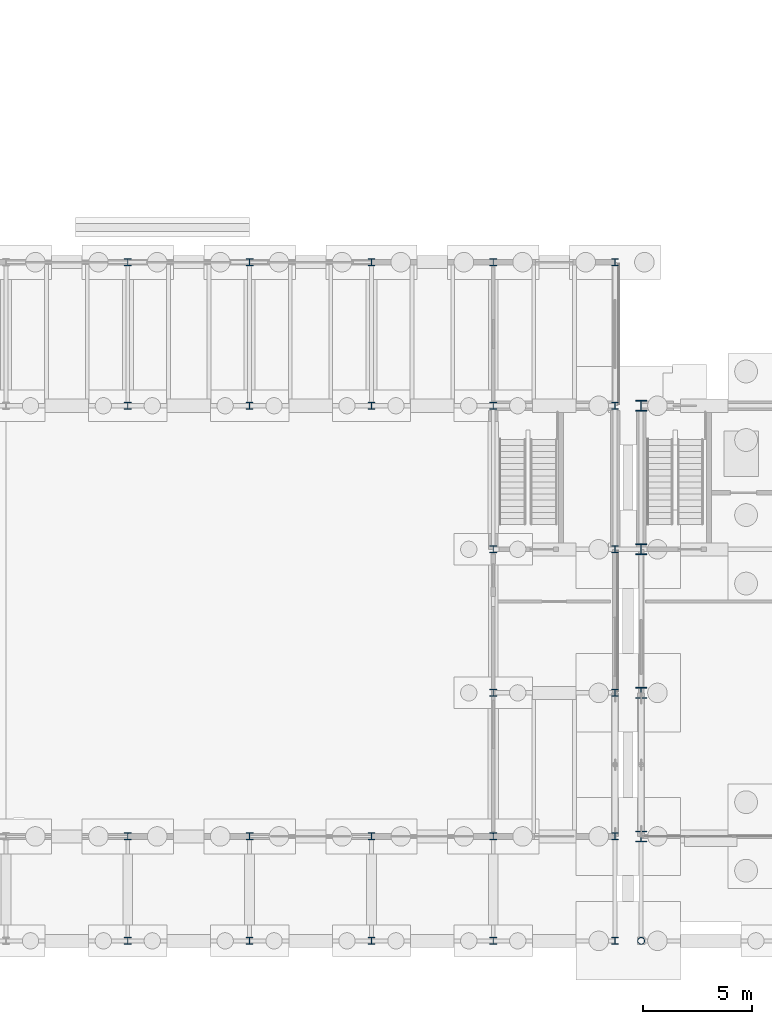
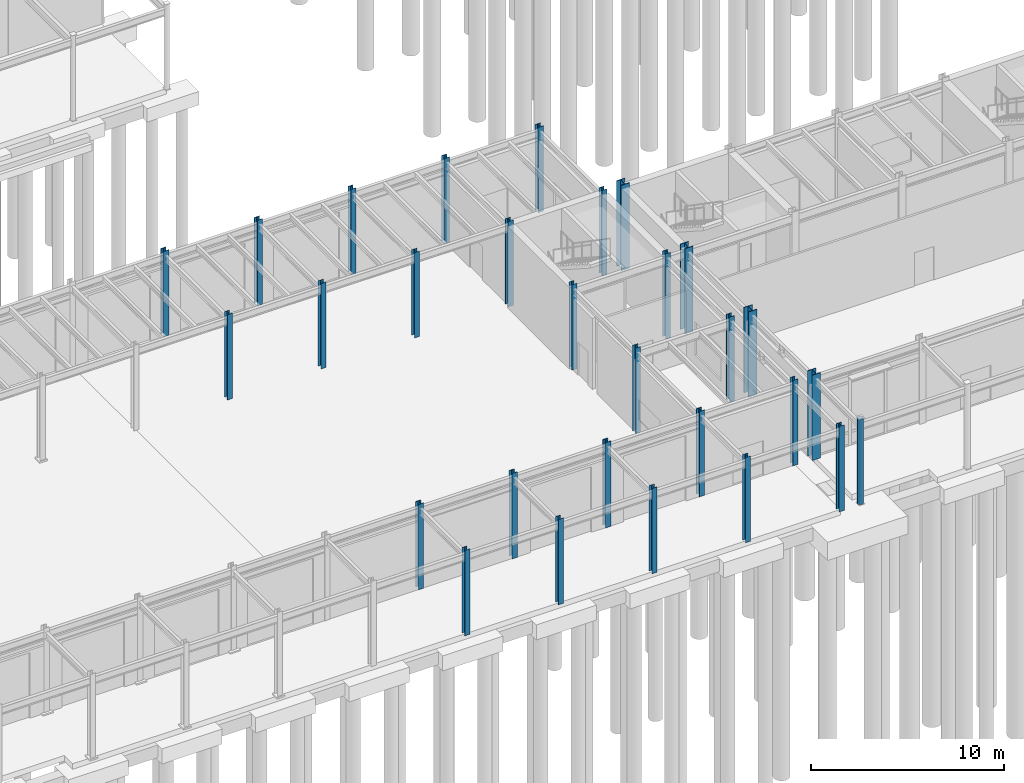
# One storey, part 9 of 82: 29 columns.
"""IFC4 building model written with IfcOpenShell, lengths in metres."""

import ifcopenshell
import ifcopenshell.guid

model = None  # the IFC model being written
_history = None  # IfcOwnerHistory: only IFC2X3 demands one
_inside = {}  # id of a spatial element -> (the spatial element, [elements in it])
_under = {}  # id of a project, library or spatial element -> (it, [spatial elements below it])
_declared = {}  # id of a project -> (the project, [libraries it declares])
_typed = {}  # id of a type object -> (the type object, [elements of that type])
_made_of = {}  # id of a material, layer set ... -> (it, [elements and type objects made of it])


def new_model(schema):
    """Start an empty IFC model of exactly this schema.

    Asked for "IFC4X3", IfcOpenShell would pick the latest addendum, in which some entities
    have other attributes; the version numbers below select the first issue.
    IFC2X3 requires an IfcOwnerHistory on every rooted entity: one is made here for all.
    """
    global model, _history
    if schema == "IFC4X3":
        model = ifcopenshell.file(schema_version=(4, 3, 0, 0))
    else:
        model = ifcopenshell.file(schema=schema)
    _inside.clear()
    _under.clear()
    _declared.clear()
    _typed.clear()
    _made_of.clear()
    _history = None
    if model.schema == "IFC2X3":
        org = make("IfcOrganization", Name="unknown")
        user = make(
            "IfcPersonAndOrganization",
            ThePerson=make("IfcPerson", FamilyName="unknown"),
            TheOrganization=org,
        )
        app = make(
            "IfcApplication",
            ApplicationDeveloper=org,
            Version="unknown",
            ApplicationFullName="unknown",
            ApplicationIdentifier="unknown",
        )
        _history = make(
            "IfcOwnerHistory",
            OwningUser=user,
            OwningApplication=app,
            ChangeAction="ADDED",
            CreationDate=0,
        )
    return model


def make(cls, **values):
    """One entity of the class cls with the attributes given. An attribute that is None is left unset."""
    return model.create_entity(
        cls, **{name: value for name, value in values.items() if value is not None}
    )


def rooted(cls, **values):
    """An entity with a GlobalId (a new one), such as an element, a storey or a relation."""
    return make(cls, GlobalId=ifcopenshell.guid.new(), OwnerHistory=_history, **values)


def si_unit(unit_type, name, prefix=None):
    """IfcSIUnit, for example si_unit("LENGTHUNIT", "METRE", prefix="MILLI")."""
    return make("IfcSIUnit", UnitType=unit_type, Prefix=prefix, Name=name)


def assignment(units):
    """IfcUnitAssignment: the units of a project."""
    return None if units is None else make("IfcUnitAssignment", Units=units)


def point(xyz):
    """IfcCartesianPoint."""
    return None if xyz is None else make("IfcCartesianPoint", Coordinates=xyz)


def direction(xyz):
    """IfcDirection."""
    return None if xyz is None else make("IfcDirection", DirectionRatios=xyz)


def frame(location, z_axis=None, x_axis=None):
    """IfcAxis2Placement3D, a coordinate frame: its origin and axes. An axis left out is left unset."""
    return make(
        "IfcAxis2Placement3D",
        Location=point(location),
        Axis=direction(z_axis),
        RefDirection=direction(x_axis),
    )


def frame_2d(location, x_axis=None):
    """IfcAxis2Placement2D, a coordinate frame in the plane: its origin and x axis."""
    return make(
        "IfcAxis2Placement2D", Location=point(location), RefDirection=direction(x_axis)
    )


def origin():
    """The frame at (0, 0, 0) with its axes left unset."""
    return frame((0.0, 0.0, 0.0))


def origin_2d():
    """The frame at (0, 0) in the plane with its x axis left unset."""
    return frame_2d((0.0, 0.0))


def place(relative_to, where):
    """IfcLocalPlacement: puts the frame where relative to a parent placement (None: the world)."""
    return make(
        "IfcLocalPlacement", PlacementRelTo=relative_to, RelativePlacement=where
    )


def context(
    kind, dimensions, precision=None, world=None, true_north=None, identifier=None
):
    """IfcGeometricRepresentationContext, for example the 3D "Model" context."""
    return make(
        "IfcGeometricRepresentationContext",
        ContextIdentifier=identifier,
        ContextType=kind,
        CoordinateSpaceDimension=dimensions,
        Precision=precision,
        WorldCoordinateSystem=world,
        TrueNorth=true_north,
    )


def subcontext(parent, identifier, kind, view, scale=None):
    """IfcGeometricRepresentationSubContext, for example "Body" below "Model"."""
    return make(
        "IfcGeometricRepresentationSubContext",
        ContextIdentifier=identifier,
        ContextType=kind,
        ParentContext=parent,
        TargetScale=scale,
        TargetView=view,
    )


def project(units=None, contexts=None):
    """IfcProject with its units and contexts."""
    return rooted(
        "IfcProject",
        Name="project",
        RepresentationContexts=contexts,
        UnitsInContext=assignment(units),
    )


def spatial(cls, under=None, at=None, **own):
    """A site, building, storey or space (cls), placed at a placement, below another one or the project."""
    s = rooted(cls, ObjectPlacement=at, **own)
    if under is not None:
        _under.setdefault(under.id(), (under, []))[1].append(s)
    return s


def profile(cls, at=None, kind="AREA", **sizes):
    """A parametric profile (cls). Its sizes go by their IFC names, for example OverallWidth=200.0."""
    return make(cls, ProfileType=kind, Position=at, **sizes)


def hollow_circle(**sizes):
    """IfcCircleHollowProfileDef."""
    return profile("IfcCircleHollowProfileDef", **sizes)


def i_section(**sizes):
    """IfcIShapeProfileDef."""
    return profile("IfcIShapeProfileDef", **sizes)


def extrude(swept, where, along, depth):
    """IfcExtrudedAreaSolid: the profile swept, set in the frame where, extruded along a direction by depth."""
    return make(
        "IfcExtrudedAreaSolid",
        SweptArea=swept,
        Position=where,
        ExtrudedDirection=direction(along),
        Depth=depth,
    )


def shape(context_of_items, identifier, shape_type, items):
    """IfcShapeRepresentation: the items that make up one representation, for example the "Body"."""
    return make(
        "IfcShapeRepresentation",
        ContextOfItems=context_of_items,
        RepresentationIdentifier=identifier,
        RepresentationType=shape_type,
        Items=items,
    )


def material(Name=None, Category=None):
    """IfcMaterial."""
    return make("IfcMaterial", Name=Name, Category=Category)


def material_profile(
    of_material, cross_section, Name=None, Category=None, Priority=None
):
    """IfcMaterialProfile: a cross section and its material."""
    return make(
        "IfcMaterialProfile",
        Name=Name,
        Material=of_material,
        Profile=cross_section,
        Priority=Priority,
        Category=Category,
    )


def profile_set(profiles, Name=None, composite=None):
    """IfcMaterialProfileSet."""
    return make(
        "IfcMaterialProfileSet",
        Name=Name,
        MaterialProfiles=profiles,
        CompositeProfile=composite,
    )


def made_of(thing, what):
    """Note that an element or type object is made of a material, layer set ...; save() writes the relation."""
    if what is not None:
        _made_of.setdefault(what.id(), (what, []))[1].append(thing)
    return thing


def type_object(cls, material=None, **own):
    """A type object (cls), such as IfcWallType, which elements share."""
    return made_of(rooted(cls, **own), material)


def element(
    cls,
    number,
    at=None,
    inside=None,
    cuts=None,
    type_object=None,
    material=None,
    context=None,
    identifier="Body",
    shape_type=None,
    held_by="IfcProductDefinitionShape",
    body=None,
    shapes=None,
    **own,
):
    """One element of the class cls, such as IfcWall. Its Tag is "e" and its number.

    at: its placement. inside: the storey or other place that contains it. cuts: it is an
    opening in that element (IfcRelVoidsElement). A single representation is given by context,
    identifier, shape_type and body (its items); several are given by shapes. held_by: the class
    of the entity that holds the representations. save() writes the other relations.
    """
    e = rooted(cls, Tag="e%d" % number, ObjectPlacement=at, **own)
    if body is not None:
        shapes = [shape(context, identifier, shape_type, body)]
    if shapes is not None:
        e.Representation = make(held_by, Representations=shapes)
    if inside is not None:
        _inside.setdefault(inside.id(), (inside, []))[1].append(e)
    if cuts is not None:
        rooted(
            "IfcRelVoidsElement", RelatingBuildingElement=cuts, RelatedOpeningElement=e
        )
    if type_object is not None:
        _typed.setdefault(type_object.id(), (type_object, []))[1].append(e)
    return made_of(e, material)


def aggregate(whole, parts):
    """IfcRelAggregates: a whole, such as a stair, and the parts it consists of."""
    return rooted("IfcRelAggregates", RelatingObject=whole, RelatedObjects=parts)


def save(model, path):
    """Write the relations noted so far, then the file.

    IfcRelAggregates (storeys below a building ...), IfcRelContainedInSpatialStructure (elements
    in a storey), IfcRelDefinesByType, IfcRelAssociatesMaterial and IfcRelDeclares: one each for
    every whole, place, type object, material and project.
    """
    for whole, parts in _under.values():
        aggregate(whole, parts)
    for where, things in _inside.values():
        rooted(
            "IfcRelContainedInSpatialStructure",
            RelatedElements=things,
            RelatingStructure=where,
        )
    for kind, things in _typed.values():
        rooted("IfcRelDefinesByType", RelatedObjects=things, RelatingType=kind)
    for what, things in _made_of.values():
        rooted("IfcRelAssociatesMaterial", RelatedObjects=things, RelatingMaterial=what)
    for by, libraries in _declared.values():
        rooted("IfcRelDeclares", RelatingContext=by, RelatedDefinitions=libraries)
    model.write(path)


model = new_model("IFC4")

# Units and contexts
model_context = context("Model", 3, precision=1e-05, world=origin(), true_north=direction((0.0, 1.0)))
body_context = subcontext(model_context, "Body", "Model", "MODEL_VIEW")
ifc_project = project(units=[si_unit("LENGTHUNIT", "METRE"), si_unit("AREAUNIT", "SQUARE_METRE"), si_unit("VOLUMEUNIT", "CUBIC_METRE"), si_unit("PLANEANGLEUNIT", "RADIAN"), si_unit("MASSUNIT", "GRAM", prefix="KILO")], contexts=[model_context])

# Site, building, storey
site_placement = place(None, origin())
site = spatial("IfcSite", under=ifc_project, at=site_placement, CompositionType="ELEMENT")
building_placement = place(site_placement, origin())
building = spatial("IfcBuilding", under=site, at=building_placement, Name="Trelmorton Wharf Fire Station", CompositionType="ELEMENT")
storey_placement = place(building_placement, origin())
storey = spatial("IfcBuildingStorey", under=building, at=storey_placement, Name="L00", CompositionType="ELEMENT", Elevation=0.0)

# Columns
ifc_material_1 = material(Name="Steel Grade 350", Category="steel")
ifc_material_profile_1 = material_profile(ifc_material_1, i_section(OverallWidth=0.306884765625, OverallDepth=0.31494140625, WebThickness=0.011962890625, FlangeThickness=0.018798828125, FilletRadius=0.0166015625, at=origin_2d()), Name="310UC118")
ifc_profile_set_1 = profile_set([ifc_material_profile_1], Name="Steel Grade 350")
column_type_1 = type_object("IfcColumnType", Name="COL_310UC118", PredefinedType="COLUMN", material=ifc_profile_set_1)
for number, where, z_axis, x_axis, name in (
    (1, (34.39990234375, 27.60009765625, 0.0), (0.0, 0.0, 1.0), (1.0, 0.0, 0.0), "COL-L00-0061"),
    (2, (40.0, 27.60009765625, 0.0), (0.0, 0.0, 1.0), (1.0, 0.0, 0.0), "COL-L00-0070"),
    (3, (45.60009765625, 27.60009765625, 0.0), (0.0, 0.0, 1.0), (1.0, 0.0, 0.0), "COL-L00-0079"),
    (4, (51.199951171875, 14.39990234375, 0.0), (0.0, 0.0, 1.0), (1.0, 0.0, 0.0), "COL-L00-0088"),
    (5, (51.199951171875, 21.0, 0.0), (0.0, 0.0, 1.0), (1.0, 0.0, 0.0), "COL-L00-0089"),
    (6, (51.199951171875, 27.60009765625, 0.0), (0.0, 0.0, 1.0), (1.0, 0.0, 0.0), "COL-L00-0090"),
    (7, (56.800048828125, 14.39990234375, 0.0), (0.0, 0.0, 1.0), (1.0, 0.0, 0.0), "COL-L00-0094"),
    (8, (56.800048828125, 21.0, 0.0), (0.0, 0.0, 1.0), (1.0, 0.0, 0.0), "COL-L00-0095"),
    (9, (56.800048828125, 27.60009765625, 0.0), (0.0, 0.0, 1.0), (1.0, 0.0, 0.0), "COL-L00-0096"),
):
    element("IfcColumn", number, at=place(storey_placement, frame(where, z_axis=z_axis, x_axis=x_axis)), inside=storey, type_object=column_type_1, Name=name, PredefinedType="COLUMN", context=body_context, shape_type="SweptSolid", body=[
        extrude(i_section(OverallWidth=0.306884765625, OverallDepth=0.31494140625, WebThickness=0.011962890625, FlangeThickness=0.018798828125, FilletRadius=0.0166015625, at=origin_2d()), origin(), (0.0, 0.0, 1.0), 5.39990234375),
    ])
ifc_material_profile_2 = material_profile(ifc_material_1, i_section(OverallWidth=0.31103515625, OverallDepth=0.326904296875, WebThickness=0.015625, FlangeThickness=0.02490234375, FilletRadius=0.0166015625, at=origin_2d()), Name="310UC158")
ifc_profile_set_2 = profile_set([ifc_material_profile_2], Name="Steel Grade 350")
column_type_2 = type_object("IfcColumnType", Name="COL_310UC158", PredefinedType="COLUMN", material=ifc_profile_set_2)
for number, where, z_axis, x_axis, name in (
    (10, (34.39990234375, 7.800048828125, 0.0), (0.0, 0.0, 1.0), (1.0, 0.0, 0.0), "COL-L00-0060"),
    (11, (34.39990234375, 34.199951171875, 0.0), (0.0, 0.0, 1.0), (1.0, 0.0, 0.0), "COL-L00-0062"),
    (12, (40.0, 7.800048828125, 0.0), (0.0, 0.0, 1.0), (1.0, 0.0, 0.0), "COL-L00-0069"),
    (13, (40.0, 34.199951171875, 0.0), (0.0, 0.0, 1.0), (1.0, 0.0, 0.0), "COL-L00-0071"),
    (14, (45.60009765625, 7.800048828125, 0.0), (0.0, 0.0, 1.0), (1.0, 0.0, 0.0), "COL-L00-0078"),
    (15, (45.60009765625, 34.199951171875, 0.0), (0.0, 0.0, 1.0), (1.0, 0.0, 0.0), "COL-L00-0080"),
    (16, (51.199951171875, 7.800048828125, 0.0), (0.0, 0.0, 1.0), (1.0, 0.0, 0.0), "COL-L00-0087"),
    (17, (51.199951171875, 34.199951171875, 0.0), (0.0, 0.0, 1.0), (1.0, 0.0, 0.0), "COL-L00-0091"),
    (18, (56.800048828125, 7.800048828125, 0.0), (0.0, 0.0, 1.0), (1.0, 0.0, 0.0), "COL-L00-0093"),
    (19, (56.800048828125, 34.199951171875, 0.0), (0.0, 0.0, 1.0), (1.0, 0.0, 0.0), "COL-L00-0097"),
):
    element("IfcColumn", number, at=place(storey_placement, frame(where, z_axis=z_axis, x_axis=x_axis)), inside=storey, type_object=column_type_2, Name=name, PredefinedType="COLUMN", context=body_context, shape_type="SweptSolid", body=[
        extrude(i_section(OverallWidth=0.31103515625, OverallDepth=0.326904296875, WebThickness=0.015625, FlangeThickness=0.02490234375, FilletRadius=0.0166015625, at=origin_2d()), origin(), (0.0, 0.0, 1.0), 5.39990234375),
    ])
ifc_material_profile_3 = material_profile(ifc_material_1, i_section(OverallWidth=0.5, OverallDepth=0.5, WebThickness=0.02001953125, FlangeThickness=0.035888671875, at=origin_2d()), Name="500WC340")
ifc_profile_set_3 = profile_set([ifc_material_profile_3], Name="Steel Grade 350")
column_type_3 = type_object("IfcColumnType", Name="COL_500WC340", PredefinedType="COLUMN", material=ifc_profile_set_3)
for number, where, z_axis, x_axis, name in (
    (20, (58.0, 7.800048828125, 0.0), (0.0, 0.0, 1.0), (1.0, 0.0, 0.0), "COL-L00-0099"),
    (21, (58.0, 14.39990234375, 0.0), (0.0, 0.0, 1.0), (1.0, 0.0, 0.0), "COL-L00-0100"),
    (22, (58.0, 21.0, 0.0), (0.0, 0.0, 1.0), (1.0, 0.0, 0.0), "COL-L00-0101"),
    (23, (58.0, 27.60009765625, 0.0), (0.0, 0.0, 1.0), (1.0, 0.0, 0.0), "COL-L00-0102"),
):
    element("IfcColumn", number, at=place(storey_placement, frame(where, z_axis=z_axis, x_axis=x_axis)), inside=storey, type_object=column_type_3, Name=name, PredefinedType="COLUMN", context=body_context, shape_type="SweptSolid", body=[
        extrude(i_section(OverallWidth=0.5, OverallDepth=0.5, WebThickness=0.02001953125, FlangeThickness=0.035888671875, at=origin_2d()), origin(), (0.0, 0.0, 1.0), 5.39990234375),
    ])
ifc_material_2 = material(Name="Steel C450L0 (450 MPa)", Category="steel")
ifc_material_profile_4 = material_profile(ifc_material_2, hollow_circle(Radius=0.161865234375, WallThickness=0.0126953125, at=origin_2d()), Name="323.9x12.7CHS")
ifc_profile_set_4 = profile_set([ifc_material_profile_4], Name="Steel C450L0 (450 MPa)")
column_type_4 = type_object("IfcColumnType", Name="COL_CHS324", PredefinedType="COLUMN", material=ifc_profile_set_4)
column_placement = place(storey_placement, frame((58.0, 3.0, 0.0), z_axis=(0.0, 0.0, 1.0), x_axis=(1.0, 0.0, 0.0)))
element("IfcColumn", 24, at=column_placement, inside=storey, type_object=column_type_4, Name="COL-L00-0098", PredefinedType="COLUMN", context=body_context, shape_type="SweptSolid", body=[
    extrude(hollow_circle(Radius=0.161865234375, WallThickness=0.0126953125, at=origin_2d()), origin(), (0.0, 0.0, 1.0), 5.39990234375),
])
ifc_material_3 = material(Name="Signal-red architectural steel Grade 350", Category="steel")
ifc_material_profile_5 = material_profile(ifc_material_3, i_section(OverallWidth=0.306884765625, OverallDepth=0.31494140625, WebThickness=0.011962890625, FlangeThickness=0.018798828125, FilletRadius=0.0166015625, at=origin_2d()), Name="310UC118")
ifc_profile_set_5 = profile_set([ifc_material_profile_5], Name="Signal-red architectural steel Grade 350")
column_type_5 = type_object("IfcColumnType", Name="COL_RED_310UC118", PredefinedType="COLUMN", material=ifc_profile_set_5)
for number, where, z_axis, x_axis, name in (
    (25, (34.39990234375, 3.0, 0.0), (0.0, 0.0, 1.0), (1.0, 0.0, 0.0), "COL-L00-0059"),
    (26, (40.0, 3.0, 0.0), (0.0, 0.0, 1.0), (1.0, 0.0, 0.0), "COL-L00-0068"),
    (27, (45.60009765625, 3.0, 0.0), (0.0, 0.0, 1.0), (1.0, 0.0, 0.0), "COL-L00-0077"),
    (28, (51.199951171875, 3.0, 0.0), (0.0, 0.0, 1.0), (1.0, 0.0, 0.0), "COL-L00-0086"),
    (29, (56.800048828125, 3.0, 0.0), (0.0, 0.0, 1.0), (1.0, 0.0, 0.0), "COL-L00-0092"),
):
    element("IfcColumn", number, at=place(storey_placement, frame(where, z_axis=z_axis, x_axis=x_axis)), inside=storey, type_object=column_type_5, Name=name, PredefinedType="COLUMN", context=body_context, shape_type="SweptSolid", body=[
        extrude(i_section(OverallWidth=0.306884765625, OverallDepth=0.31494140625, WebThickness=0.011962890625, FlangeThickness=0.018798828125, FilletRadius=0.0166015625, at=origin_2d()), origin(), (0.0, 0.0, 1.0), 5.39990234375),
    ])

save(model, "model.ifc")
